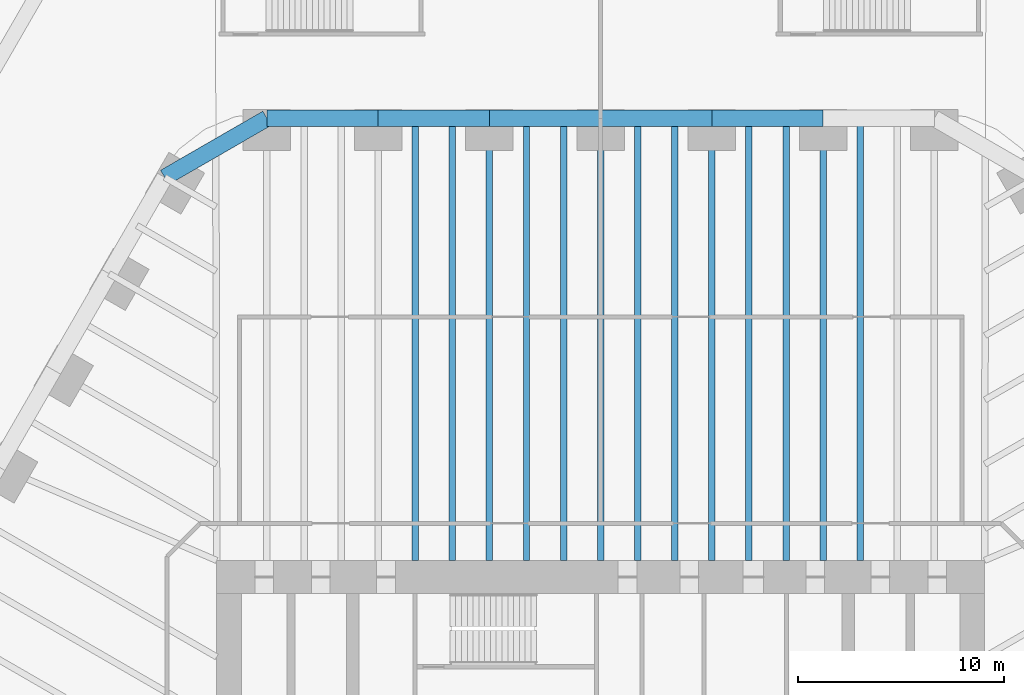
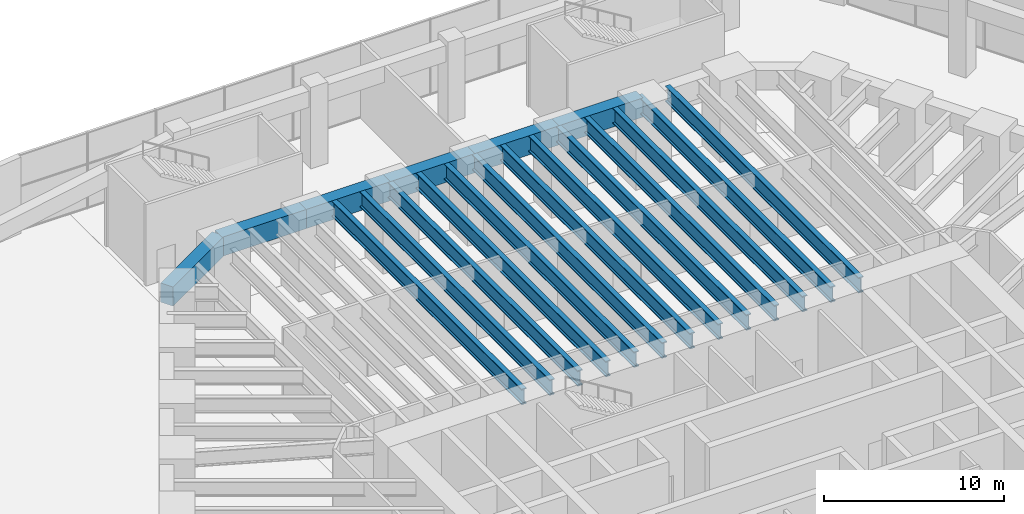
# One storey, part 17 of 31: 19 beams.
"""IFC4 building model written with IfcOpenShell, lengths in metres."""

from ifc_helpers import new_model, si_unit, direction, frame, origin, origin_2d, place, context, subcontext, project, spatial, rectangle, i_section, extrude, material, material_profile, profile_set, type_object, element, save


model = new_model("IFC4")

# Units and contexts
model_context = context("Model", 3, precision=1e-05, world=origin(), true_north=direction((0.0, 1.0)))
body_context = subcontext(model_context, "Body", "Model", "MODEL_VIEW")
ifc_project = project(units=[si_unit("LENGTHUNIT", "METRE"), si_unit("AREAUNIT", "SQUARE_METRE"), si_unit("VOLUMEUNIT", "CUBIC_METRE"), si_unit("PLANEANGLEUNIT", "RADIAN"), si_unit("MASSUNIT", "GRAM", prefix="KILO")], contexts=[model_context])

# Site, building, storey
site_placement = place(None, origin())
site = spatial("IfcSite", under=ifc_project, at=site_placement, CompositionType="ELEMENT")
building_placement = place(site_placement, origin())
building = spatial("IfcBuilding", under=site, at=building_placement, Name="Tarfa Lantern Tower", CompositionType="ELEMENT")
storey_placement = place(building_placement, frame((0.0, 0.0, 13.0)))
storey = spatial("IfcBuildingStorey", under=building, at=storey_placement, Name="L02", CompositionType="ELEMENT", Elevation=13.0)

# Beams
ifc_material_1 = material(Name="Concrete C80/95", Category="concrete")
ifc_material_profile_1 = material_profile(ifc_material_1, rectangle(XDim=0.800048828125, YDim=1.300048828125, at=origin_2d()), Name="RC 800x1300")
ifc_profile_set_1 = profile_set([ifc_material_profile_1], Name="Concrete C80/95")
beam_type_1 = type_object("IfcBeamType", Name="EB1 RC 800x1300", PredefinedType="SPANDREL", material=ifc_profile_set_1)
beam_1_placement = place(storey_placement, frame((10.777099609375, 33.719970703125, 4.5), z_axis=(-1.0, 0.0, 0.0), x_axis=(0.0, -1.0, 0.0)))
element("IfcBeam", 1, at=beam_1_placement, inside=storey, type_object=beam_type_1, Name="Edge beam N1", PredefinedType="SPANDREL", context=body_context, shape_type="SweptSolid", body=[
    extrude(rectangle(XDim=0.800048828125, YDim=1.300048828125, at=origin_2d()), origin(), (0.0, 0.0, 1.0), 5.388427734375),
])
for number, where, z_axis, x_axis, name in (
    (2, (5.388671875, 33.719970703125, 4.5), (-1.0, 0.0, 0.0), (0.0, -1.0, 0.0), "Edge beam N2"),
    (3, (0.0, 33.719970703125, 4.5), (-1.0, 0.0, 0.0), (0.0, -1.0, 0.0), "Edge beam N3"),
):
    element("IfcBeam", number, at=place(storey_placement, frame(where, z_axis=z_axis, x_axis=x_axis)), inside=storey, type_object=beam_type_1, Name=name, PredefinedType="SPANDREL", context=body_context, shape_type="SweptSolid", body=[
        extrude(rectangle(XDim=0.800048828125, YDim=1.300048828125, at=origin_2d()), origin(), (0.0, 0.0, 1.0), 5.388671875),
    ])
beam_2_placement = place(storey_placement, frame((-5.388671875, 33.719970703125, 4.5), z_axis=(-1.0, 0.0, 0.0), x_axis=(0.0, -1.0, 0.0)))
element("IfcBeam", 4, at=beam_2_placement, inside=storey, type_object=beam_type_1, Name="Edge beam N4", PredefinedType="SPANDREL", context=body_context, shape_type="SweptSolid", body=[
    extrude(rectangle(XDim=0.800048828125, YDim=1.300048828125, at=origin_2d()), origin(), (0.0, 0.0, 1.0), 5.388427734375),
])
beam_3_placement = place(storey_placement, frame((-10.777099609375, 33.719970703125, 4.5), z_axis=(-1.0, 0.0, 0.0), x_axis=(0.0, -1.0, 0.0)))
element("IfcBeam", 5, at=beam_3_placement, inside=storey, type_object=beam_type_1, Name="Edge beam N5", PredefinedType="SPANDREL", context=body_context, shape_type="SweptSolid", body=[
    extrude(rectangle(XDim=0.800048828125, YDim=1.300048828125, at=origin_2d()), origin(), (0.0, 0.0, 1.0), 5.388671875),
])
beam_4_placement = place(storey_placement, frame((-16.165771484375, 33.719970703125, 4.5), z_axis=(-0.866033479681, -0.499986011877, 0.0), x_axis=(0.499986011877, -0.866033479681, 0.0)))
element("IfcBeam", 6, at=beam_4_placement, inside=storey, type_object=beam_type_1, Name="Edge beam N6", PredefinedType="SPANDREL", context=body_context, shape_type="SweptSolid", body=[
    extrude(rectangle(XDim=0.800048828125, YDim=1.300048828125, at=origin_2d()), origin(), (0.0, 0.0, 1.0), 5.719970703125),
])
ifc_material_2 = material(Name="Steel S460M", Category="steel")
ifc_material_profile_2 = material_profile(ifc_material_2, i_section(OverallWidth=0.314208984375, OverallDepth=1.055908203125, WebThickness=0.035888671875, FlangeThickness=0.06396484375, FilletRadius=0.030029296875, at=origin_2d()), Name="UB1016x305x584")
ifc_profile_set_2 = profile_set([ifc_material_profile_2], Name="Steel S460M")
beam_type_2 = type_object("IfcBeamType", Name="UB1016x305x584", PredefinedType="BEAM", material=ifc_profile_set_2)
for number, where, z_axis, x_axis, name in (
    (7, (10.777099609375, 33.719970703125, 4.6220703125), (0.0, -1.0, 0.0), (1.0, 0.0, 0.0), "Floor beam N1"),
    (8, (5.388671875, 33.719970703125, 4.6220703125), (0.0, -1.0, 0.0), (1.0, 0.0, 0.0), "Floor beam N2"),
    (9, (0.0, 33.719970703125, 4.6220703125), (0.0, -1.0, 0.0), (1.0, 0.0, 0.0), "Floor beam N3"),
    (10, (-5.388671875, 33.719970703125, 4.6220703125), (0.0, -1.0, 0.0), (1.0, 0.0, 0.0), "Floor beam N4"),
    (11, (12.573486328125, 33.719970703125, 4.6220703125), (0.0, -1.0, 0.0), (1.0, 0.0, 0.0), "Floor beam N0M2"),
    (12, (8.98095703125, 33.719970703125, 4.6220703125), (0.0, -1.0, 0.0), (1.0, 0.0, 0.0), "Floor beam N1M1"),
    (13, (7.184814453125, 33.719970703125, 4.6220703125), (0.0, -1.0, 0.0), (1.0, 0.0, 0.0), "Floor beam N1M2"),
    (14, (3.59228515625, 33.719970703125, 4.6220703125), (0.0, -1.0, 0.0), (1.0, 0.0, 0.0), "Floor beam N2M1"),
    (15, (1.796142578125, 33.719970703125, 4.6220703125), (0.0, -1.0, 0.0), (1.0, 0.0, 0.0), "Floor beam N2M2"),
    (16, (-1.796142578125, 33.719970703125, 4.6220703125), (0.0, -1.0, 0.0), (1.0, 0.0, 0.0), "Floor beam N3M1"),
    (17, (-3.59228515625, 33.719970703125, 4.6220703125), (0.0, -1.0, 0.0), (1.0, 0.0, 0.0), "Floor beam N3M2"),
    (18, (-7.184814453125, 33.719970703125, 4.6220703125), (0.0, -1.0, 0.0), (1.0, 0.0, 0.0), "Floor beam N4M1"),
    (19, (-8.98095703125, 33.719970703125, 4.6220703125), (0.0, -1.0, 0.0), (1.0, 0.0, 0.0), "Floor beam N4M2"),
):
    element("IfcBeam", number, at=place(storey_placement, frame(where, z_axis=z_axis, x_axis=x_axis)), inside=storey, type_object=beam_type_2, Name=name, PredefinedType="BEAM", context=body_context, shape_type="SweptSolid", body=[
        extrude(i_section(OverallWidth=0.314208984375, OverallDepth=1.055908203125, WebThickness=0.035888671875, FlangeThickness=0.06396484375, FilletRadius=0.030029296875, at=origin_2d()), origin(), (0.0, 0.0, 1.0), 21.419921875),
    ])

save(model, "model.ifc")
